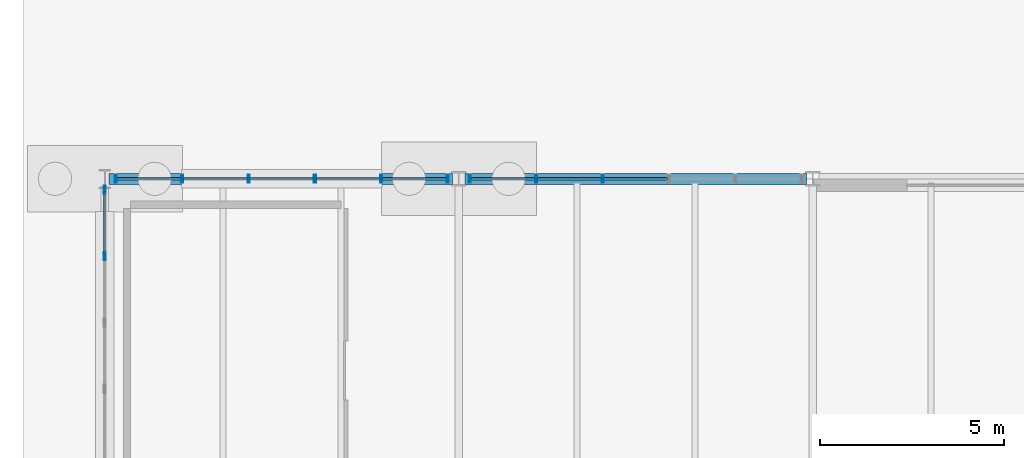
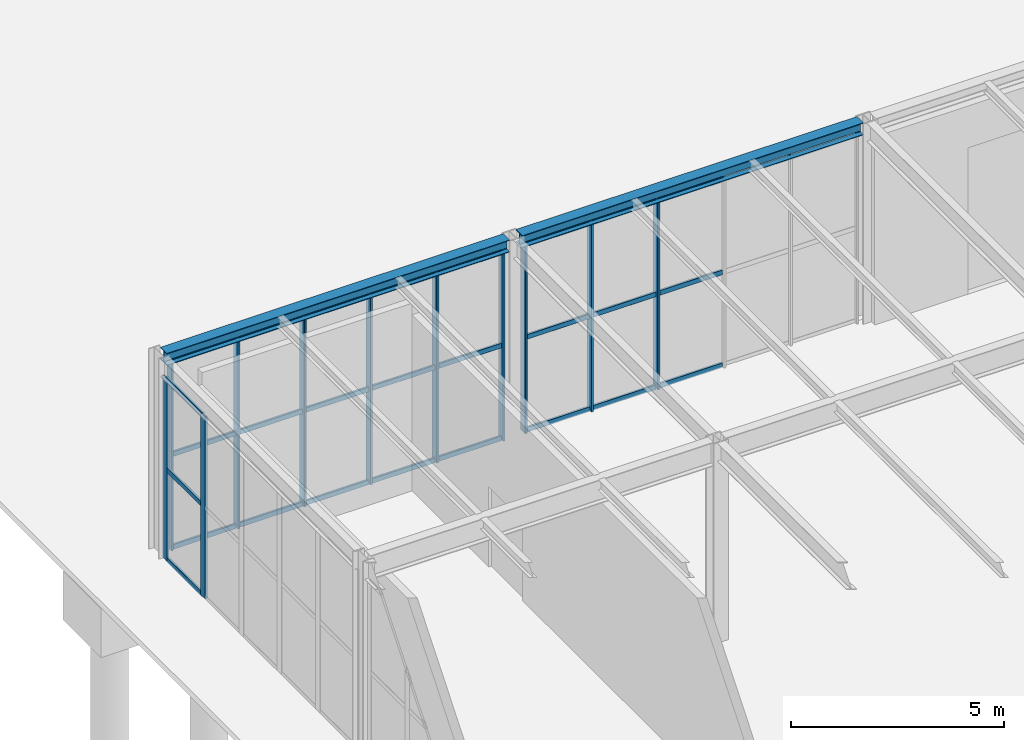
# One storey, part 53 of 142: 38 members, 2 beams, 3 elements without a shape of their own.
"""IFC4 building model written with IfcOpenShell, lengths in metres."""

from ifc_helpers import new_model, si_unit, direction, frame, origin, origin_2d, place, context, subcontext, project, spatial, hollow_rectangle, i_section, extrude, material, material_profile, profile_set, type_object, element, aggregate, save


model = new_model("IFC4")

# Units and contexts
model_context = context("Model", 3, precision=1e-05, world=origin(), true_north=direction((0.0, 1.0)))
body_context = subcontext(model_context, "Body", "Model", "MODEL_VIEW")
ifc_project = project(units=[si_unit("LENGTHUNIT", "METRE"), si_unit("AREAUNIT", "SQUARE_METRE"), si_unit("VOLUMEUNIT", "CUBIC_METRE"), si_unit("PLANEANGLEUNIT", "RADIAN"), si_unit("MASSUNIT", "GRAM", prefix="KILO")], contexts=[model_context])

# Site, building, storey
site_placement = place(None, origin())
site = spatial("IfcSite", under=ifc_project, at=site_placement, CompositionType="ELEMENT")
building_placement = place(site_placement, origin())
building = spatial("IfcBuilding", under=site, at=building_placement, Name="Coralgate Yard Interchange", CompositionType="ELEMENT")
storey_placement = place(building_placement, origin())
storey = spatial("IfcBuildingStorey", under=building, at=storey_placement, Name="L00", CompositionType="ELEMENT", Elevation=0.0)

# Beams
ifc_material_1 = material(Name="Structural steel S355J2", Category="steel")
ifc_material_profile_1 = material_profile(ifc_material_1, i_section(OverallWidth=0.300048828125, OverallDepth=0.35009765625, WebThickness=0.010009765625, FlangeThickness=0.017578125, FilletRadius=0.027099609375, at=origin_2d()), Name="HEA 360")
ifc_profile_set_1 = profile_set([ifc_material_profile_1], Name="Structural steel S355J2")
beam_type = type_object("IfcBeamType", Name="BM-SP-1", PredefinedType="SPANDREL", material=ifc_profile_set_1)
beam_1_placement = place(storey_placement, frame((0.1201171875, 57.60009765625, 5.574951171875), z_axis=(1.0, 0.0, 0.0), x_axis=(0.0, 1.0, 0.0)))
element("IfcBeam", 1, at=beam_1_placement, inside=storey, type_object=beam_type, Name="L00 primary grid beam Y6 X0-1", PredefinedType="SPANDREL", context=body_context, shape_type="SweptSolid", body=[
    extrude(i_section(OverallWidth=0.300048828125, OverallDepth=0.35009765625, WebThickness=0.010009765625, FlangeThickness=0.017578125, FilletRadius=0.027099609375, at=origin_2d()), origin(), (0.0, 0.0, 1.0), 9.310302734375),
])
beam_2_placement = place(storey_placement, frame((9.76953125, 57.60009765625, 5.574951171875), z_axis=(1.0, 0.0, 0.0), x_axis=(0.0, 1.0, 0.0)))
element("IfcBeam", 2, at=beam_2_placement, inside=storey, type_object=beam_type, Name="L00 primary grid beam Y6 X1-2", PredefinedType="SPANDREL", context=body_context, shape_type="SweptSolid", body=[
    extrude(i_section(OverallWidth=0.300048828125, OverallDepth=0.35009765625, WebThickness=0.010009765625, FlangeThickness=0.017578125, FilletRadius=0.027099609375, at=origin_2d()), origin(), (0.0, 0.0, 1.0), 9.260986328125),
])

# Curtain wall, members
ifc_material_2 = material(Name="Anodised coastal aluminium and solar-control low-E glass", Category="aluminium")
curtain_wall_type_1 = type_object("IfcCurtainWallType", Name="CW-CW-L00-A", PredefinedType="NOTDEFINED", material=ifc_material_2)
curtain_wall_1_placement = place(storey_placement, origin())
curtain_wall_1 = element("IfcCurtainWall", 3, at=curtain_wall_1_placement, inside=storey, type_object=curtain_wall_type_1, Name="L00 unitised curtain wall CW-L00-W-00-05", PredefinedType="NOTDEFINED")
ifc_material_3 = material(Name="Anodised coastal aluminium 6063-T6", Category="aluminium")
ifc_material_profile_2 = material_profile(ifc_material_3, hollow_rectangle(XDim=0.06005859375, YDim=0.219970703125, WallThickness=0.00390625, InnerFilletRadius=0.00390625, OuterFilletRadius=0.008056640625, at=origin_2d()), Name="ALU 60x220x4")
ifc_profile_set_2 = profile_set([ifc_material_profile_2], Name="Anodised coastal aluminium 6063-T6")
member_type_1 = type_object("IfcMemberType", Name="MB-MUL-220", PredefinedType="MULLION", material=ifc_profile_set_2)
member_1_placement = place(storey_placement, frame((0.0, 55.5, 0.0), z_axis=(0.0, 0.0, 1.0), x_axis=(1.0, 0.0, 0.0)))
member_1 = element("IfcMember", 4, at=member_1_placement, type_object=member_type_1, Name="CW-L00-W-00-05 vertical mullion 5", PredefinedType="MULLION", context=body_context, shape_type="SweptSolid", body=[
    extrude(hollow_rectangle(XDim=0.06005859375, YDim=0.219970703125, WallThickness=0.00390625, InnerFilletRadius=0.00390625, OuterFilletRadius=0.008056640625, at=origin_2d()), origin(), (0.0, 0.0, 1.0), 5.216796875),
])
member_2_placement = place(storey_placement, frame((0.0, 57.300048828125, 0.0), z_axis=(0.0, 0.0, 1.0), x_axis=(1.0, 0.0, 0.0)))
member_2 = element("IfcMember", 5, at=member_2_placement, type_object=member_type_1, Name="CW-L00-W-00-05 vertical mullion 6", PredefinedType="MULLION", context=body_context, shape_type="SweptSolid", body=[
    extrude(hollow_rectangle(XDim=0.06005859375, YDim=0.219970703125, WallThickness=0.00390625, InnerFilletRadius=0.00390625, OuterFilletRadius=0.008056640625, at=origin_2d()), origin(), (0.0, 0.0, 1.0), 5.216796875),
])

curtain_wall_type_2 = type_object("IfcCurtainWallType", Name="CW-CW-L00-B", PredefinedType="NOTDEFINED", material=ifc_material_2)
curtain_wall_2_placement = place(storey_placement, origin())
curtain_wall_2 = element("IfcCurtainWall", 6, at=curtain_wall_2_placement, inside=storey, type_object=curtain_wall_type_2, Name="L00 unitised curtain wall CW-L00-N-00-05", PredefinedType="NOTDEFINED")
member_3_placement = place(storey_placement, frame((0.300048828125, 57.60009765625, 0.0), z_axis=(0.0, 0.0, 1.0), x_axis=(1.0, 0.0, 0.0)))
member_3 = element("IfcMember", 7, at=member_3_placement, type_object=member_type_1, Name="CW-L00-N-00-05 vertical mullion 1", PredefinedType="MULLION", context=body_context, shape_type="SweptSolid", body=[
    extrude(hollow_rectangle(XDim=0.06005859375, YDim=0.219970703125, WallThickness=0.00390625, InnerFilletRadius=0.00390625, OuterFilletRadius=0.008056640625, at=origin_2d()), origin(), (0.0, 0.0, 1.0), 5.39990234375),
])
member_4_placement = place(storey_placement, frame((2.10009765625, 57.60009765625, 0.0), z_axis=(0.0, 0.0, 1.0), x_axis=(1.0, 0.0, 0.0)))
member_4 = element("IfcMember", 8, at=member_4_placement, type_object=member_type_1, Name="CW-L00-N-00-05 vertical mullion 2", PredefinedType="MULLION", context=body_context, shape_type="SweptSolid", body=[
    extrude(hollow_rectangle(XDim=0.06005859375, YDim=0.219970703125, WallThickness=0.00390625, InnerFilletRadius=0.00390625, OuterFilletRadius=0.008056640625, at=origin_2d()), origin(), (0.0, 0.0, 1.0), 5.39990234375),
])
member_5_placement = place(storey_placement, frame((3.89990234375, 57.60009765625, 0.0), z_axis=(0.0, 0.0, 1.0), x_axis=(1.0, 0.0, 0.0)))
member_5 = element("IfcMember", 9, at=member_5_placement, type_object=member_type_1, Name="CW-L00-N-00-05 vertical mullion 3", PredefinedType="MULLION", context=body_context, shape_type="SweptSolid", body=[
    extrude(hollow_rectangle(XDim=0.06005859375, YDim=0.219970703125, WallThickness=0.00390625, InnerFilletRadius=0.00390625, OuterFilletRadius=0.008056640625, at=origin_2d()), origin(), (0.0, 0.0, 1.0), 5.39990234375),
])
member_6_placement = place(storey_placement, frame((5.699951171875, 57.60009765625, 0.0), z_axis=(0.0, 0.0, 1.0), x_axis=(1.0, 0.0, 0.0)))
member_6 = element("IfcMember", 10, at=member_6_placement, type_object=member_type_1, Name="CW-L00-N-00-05 vertical mullion 4", PredefinedType="MULLION", context=body_context, shape_type="SweptSolid", body=[
    extrude(hollow_rectangle(XDim=0.06005859375, YDim=0.219970703125, WallThickness=0.00390625, InnerFilletRadius=0.00390625, OuterFilletRadius=0.008056640625, at=origin_2d()), origin(), (0.0, 0.0, 1.0), 5.39990234375),
])
member_7_placement = place(storey_placement, frame((7.5, 57.60009765625, 0.0), z_axis=(0.0, 0.0, 1.0), x_axis=(1.0, 0.0, 0.0)))
member_7 = element("IfcMember", 11, at=member_7_placement, type_object=member_type_1, Name="CW-L00-N-00-05 vertical mullion 5", PredefinedType="MULLION", context=body_context, shape_type="SweptSolid", body=[
    extrude(hollow_rectangle(XDim=0.06005859375, YDim=0.219970703125, WallThickness=0.00390625, InnerFilletRadius=0.00390625, OuterFilletRadius=0.008056640625, at=origin_2d()), origin(), (0.0, 0.0, 1.0), 5.39990234375),
])
member_8_placement = place(storey_placement, frame((9.300048828125, 57.60009765625, 0.0), z_axis=(0.0, 0.0, 1.0), x_axis=(1.0, 0.0, 0.0)))
member_8 = element("IfcMember", 12, at=member_8_placement, type_object=member_type_1, Name="CW-L00-N-00-05 vertical mullion 6", PredefinedType="MULLION", context=body_context, shape_type="SweptSolid", body=[
    extrude(hollow_rectangle(XDim=0.06005859375, YDim=0.219970703125, WallThickness=0.00390625, InnerFilletRadius=0.00390625, OuterFilletRadius=0.008056640625, at=origin_2d()), origin(), (0.0, 0.0, 1.0), 5.39990234375),
])

curtain_wall_3_placement = place(storey_placement, origin())
curtain_wall_3 = element("IfcCurtainWall", 13, at=curtain_wall_3_placement, inside=storey, type_object=curtain_wall_type_2, Name="L00 unitised curtain wall CW-L00-N-01-05", PredefinedType="NOTDEFINED")
member_9_placement = place(storey_placement, frame((9.89990234375, 57.60009765625, 0.0), z_axis=(0.0, 0.0, 1.0), x_axis=(1.0, 0.0, 0.0)))
member_9 = element("IfcMember", 14, at=member_9_placement, type_object=member_type_1, Name="CW-L00-N-01-05 vertical mullion 1", PredefinedType="MULLION", context=body_context, shape_type="SweptSolid", body=[
    extrude(hollow_rectangle(XDim=0.06005859375, YDim=0.219970703125, WallThickness=0.00390625, InnerFilletRadius=0.00390625, OuterFilletRadius=0.008056640625, at=origin_2d()), origin(), (0.0, 0.0, 1.0), 5.39990234375),
])
member_10_placement = place(storey_placement, frame((11.699951171875, 57.60009765625, 0.0), z_axis=(0.0, 0.0, 1.0), x_axis=(1.0, 0.0, 0.0)))
member_10 = element("IfcMember", 15, at=member_10_placement, type_object=member_type_1, Name="CW-L00-N-01-05 vertical mullion 2", PredefinedType="MULLION", context=body_context, shape_type="SweptSolid", body=[
    extrude(hollow_rectangle(XDim=0.06005859375, YDim=0.219970703125, WallThickness=0.00390625, InnerFilletRadius=0.00390625, OuterFilletRadius=0.008056640625, at=origin_2d()), origin(), (0.0, 0.0, 1.0), 5.39990234375),
])
member_11_placement = place(storey_placement, frame((13.5, 57.60009765625, 0.0), z_axis=(0.0, 0.0, 1.0), x_axis=(1.0, 0.0, 0.0)))
member_11 = element("IfcMember", 16, at=member_11_placement, type_object=member_type_1, Name="CW-L00-N-01-05 vertical mullion 3", PredefinedType="MULLION", context=body_context, shape_type="SweptSolid", body=[
    extrude(hollow_rectangle(XDim=0.06005859375, YDim=0.219970703125, WallThickness=0.00390625, InnerFilletRadius=0.00390625, OuterFilletRadius=0.008056640625, at=origin_2d()), origin(), (0.0, 0.0, 1.0), 5.39990234375),
])

# Member
ifc_material_profile_3 = material_profile(ifc_material_3, hollow_rectangle(XDim=0.06005859375, YDim=0.139892578125, WallThickness=0.00341796875, InnerFilletRadius=0.00341796875, OuterFilletRadius=0.007080078125, at=origin_2d()), Name="ALU 60x140x3.5")
ifc_profile_set_3 = profile_set([ifc_material_profile_3], Name="Anodised coastal aluminium 6063-T6")
member_type_2 = type_object("IfcMemberType", Name="MB-TRN-140", PredefinedType="USERDEFINED", material=ifc_profile_set_3)
member_12_placement = place(storey_placement, frame((0.0, 55.530029296875, 0.034912109375), z_axis=(0.0, 1.0, 0.0), x_axis=(-1.0, 0.0, 0.0)))
member_12 = element("IfcMember", 17, at=member_12_placement, type_object=member_type_2, Name="CW-L00-W-00-05 horizontal transom 5-1", ObjectType="TRANSOM", PredefinedType="USERDEFINED", context=body_context, shape_type="SweptSolid", body=[
    extrude(hollow_rectangle(XDim=0.06005859375, YDim=0.139892578125, WallThickness=0.00341796875, InnerFilletRadius=0.00341796875, OuterFilletRadius=0.007080078125, at=origin_2d()), origin(), (0.0, 0.0, 1.0), 1.739990234375),
])

member_13_placement = place(storey_placement, frame((0.0, 55.530029296875, 2.6083984375), z_axis=(0.0, 1.0, 0.0), x_axis=(-1.0, 0.0, 0.0)))
member_13 = element("IfcMember", 18, at=member_13_placement, type_object=member_type_2, Name="CW-L00-W-00-05 horizontal transom 5-2", ObjectType="TRANSOM", PredefinedType="USERDEFINED", context=body_context, shape_type="SweptSolid", body=[
    extrude(hollow_rectangle(XDim=0.06005859375, YDim=0.139892578125, WallThickness=0.00341796875, InnerFilletRadius=0.00341796875, OuterFilletRadius=0.007080078125, at=origin_2d()), origin(), (0.0, 0.0, 1.0), 1.739990234375),
])

member_14_placement = place(storey_placement, frame((0.0, 55.530029296875, 5.181884765625), z_axis=(0.0, 1.0, 0.0), x_axis=(-1.0, 0.0, 0.0)))
member_14 = element("IfcMember", 19, at=member_14_placement, type_object=member_type_2, Name="CW-L00-W-00-05 horizontal transom 5-3", ObjectType="TRANSOM", PredefinedType="USERDEFINED", context=body_context, shape_type="SweptSolid", body=[
    extrude(hollow_rectangle(XDim=0.06005859375, YDim=0.139892578125, WallThickness=0.00341796875, InnerFilletRadius=0.00341796875, OuterFilletRadius=0.007080078125, at=origin_2d()), origin(), (0.0, 0.0, 1.0), 1.739990234375),
])

aggregate(curtain_wall_1, [member_1, member_2, member_12, member_13, member_14])

member_15_placement = place(storey_placement, frame((0.330078125, 57.60009765625, 0.034912109375), z_axis=(1.0, 0.0, 0.0), x_axis=(0.0, 1.0, 0.0)))
member_15 = element("IfcMember", 20, at=member_15_placement, type_object=member_type_2, Name="CW-L00-N-00-05 horizontal transom 1-1", ObjectType="TRANSOM", PredefinedType="USERDEFINED", context=body_context, shape_type="SweptSolid", body=[
    extrude(hollow_rectangle(XDim=0.06005859375, YDim=0.139892578125, WallThickness=0.00341796875, InnerFilletRadius=0.00341796875, OuterFilletRadius=0.007080078125, at=origin_2d()), origin(), (0.0, 0.0, 1.0), 1.739990234375),
])

member_16_placement = place(storey_placement, frame((0.330078125, 57.60009765625, 2.699951171875), z_axis=(1.0, 0.0, 0.0), x_axis=(0.0, 1.0, 0.0)))
member_16 = element("IfcMember", 21, at=member_16_placement, type_object=member_type_2, Name="CW-L00-N-00-05 horizontal transom 1-2", ObjectType="TRANSOM", PredefinedType="USERDEFINED", context=body_context, shape_type="SweptSolid", body=[
    extrude(hollow_rectangle(XDim=0.06005859375, YDim=0.139892578125, WallThickness=0.00341796875, InnerFilletRadius=0.00341796875, OuterFilletRadius=0.007080078125, at=origin_2d()), origin(), (0.0, 0.0, 1.0), 1.739990234375),
])

member_17_placement = place(storey_placement, frame((0.330078125, 57.60009765625, 5.364990234375), z_axis=(1.0, 0.0, 0.0), x_axis=(0.0, 1.0, 0.0)))
member_17 = element("IfcMember", 22, at=member_17_placement, type_object=member_type_2, Name="CW-L00-N-00-05 horizontal transom 1-3", ObjectType="TRANSOM", PredefinedType="USERDEFINED", context=body_context, shape_type="SweptSolid", body=[
    extrude(hollow_rectangle(XDim=0.06005859375, YDim=0.139892578125, WallThickness=0.00341796875, InnerFilletRadius=0.00341796875, OuterFilletRadius=0.007080078125, at=origin_2d()), origin(), (0.0, 0.0, 1.0), 1.739990234375),
])

member_18_placement = place(storey_placement, frame((2.1298828125, 57.60009765625, 0.034912109375), z_axis=(1.0, 0.0, 0.0), x_axis=(0.0, 1.0, 0.0)))
member_18 = element("IfcMember", 23, at=member_18_placement, type_object=member_type_2, Name="CW-L00-N-00-05 horizontal transom 2-1", ObjectType="TRANSOM", PredefinedType="USERDEFINED", context=body_context, shape_type="SweptSolid", body=[
    extrude(hollow_rectangle(XDim=0.06005859375, YDim=0.139892578125, WallThickness=0.00341796875, InnerFilletRadius=0.00341796875, OuterFilletRadius=0.007080078125, at=origin_2d()), origin(), (0.0, 0.0, 1.0), 1.740234375),
])

member_19_placement = place(storey_placement, frame((2.1298828125, 57.60009765625, 2.699951171875), z_axis=(1.0, 0.0, 0.0), x_axis=(0.0, 1.0, 0.0)))
member_19 = element("IfcMember", 24, at=member_19_placement, type_object=member_type_2, Name="CW-L00-N-00-05 horizontal transom 2-2", ObjectType="TRANSOM", PredefinedType="USERDEFINED", context=body_context, shape_type="SweptSolid", body=[
    extrude(hollow_rectangle(XDim=0.06005859375, YDim=0.139892578125, WallThickness=0.00341796875, InnerFilletRadius=0.00341796875, OuterFilletRadius=0.007080078125, at=origin_2d()), origin(), (0.0, 0.0, 1.0), 1.740234375),
])

member_20_placement = place(storey_placement, frame((2.1298828125, 57.60009765625, 5.364990234375), z_axis=(1.0, 0.0, 0.0), x_axis=(0.0, 1.0, 0.0)))
member_20 = element("IfcMember", 25, at=member_20_placement, type_object=member_type_2, Name="CW-L00-N-00-05 horizontal transom 2-3", ObjectType="TRANSOM", PredefinedType="USERDEFINED", context=body_context, shape_type="SweptSolid", body=[
    extrude(hollow_rectangle(XDim=0.06005859375, YDim=0.139892578125, WallThickness=0.00341796875, InnerFilletRadius=0.00341796875, OuterFilletRadius=0.007080078125, at=origin_2d()), origin(), (0.0, 0.0, 1.0), 1.740234375),
])

member_21_placement = place(storey_placement, frame((3.929931640625, 57.60009765625, 0.034912109375), z_axis=(1.0, 0.0, 0.0), x_axis=(0.0, 1.0, 0.0)))
member_21 = element("IfcMember", 26, at=member_21_placement, type_object=member_type_2, Name="CW-L00-N-00-05 horizontal transom 3-1", ObjectType="TRANSOM", PredefinedType="USERDEFINED", context=body_context, shape_type="SweptSolid", body=[
    extrude(hollow_rectangle(XDim=0.06005859375, YDim=0.139892578125, WallThickness=0.00341796875, InnerFilletRadius=0.00341796875, OuterFilletRadius=0.007080078125, at=origin_2d()), origin(), (0.0, 0.0, 1.0), 1.739990234375),
])

member_22_placement = place(storey_placement, frame((3.929931640625, 57.60009765625, 2.699951171875), z_axis=(1.0, 0.0, 0.0), x_axis=(0.0, 1.0, 0.0)))
member_22 = element("IfcMember", 27, at=member_22_placement, type_object=member_type_2, Name="CW-L00-N-00-05 horizontal transom 3-2", ObjectType="TRANSOM", PredefinedType="USERDEFINED", context=body_context, shape_type="SweptSolid", body=[
    extrude(hollow_rectangle(XDim=0.06005859375, YDim=0.139892578125, WallThickness=0.00341796875, InnerFilletRadius=0.00341796875, OuterFilletRadius=0.007080078125, at=origin_2d()), origin(), (0.0, 0.0, 1.0), 1.739990234375),
])

member_23_placement = place(storey_placement, frame((3.929931640625, 57.60009765625, 5.364990234375), z_axis=(1.0, 0.0, 0.0), x_axis=(0.0, 1.0, 0.0)))
member_23 = element("IfcMember", 28, at=member_23_placement, type_object=member_type_2, Name="CW-L00-N-00-05 horizontal transom 3-3", ObjectType="TRANSOM", PredefinedType="USERDEFINED", context=body_context, shape_type="SweptSolid", body=[
    extrude(hollow_rectangle(XDim=0.06005859375, YDim=0.139892578125, WallThickness=0.00341796875, InnerFilletRadius=0.00341796875, OuterFilletRadius=0.007080078125, at=origin_2d()), origin(), (0.0, 0.0, 1.0), 1.739990234375),
])

member_24_placement = place(storey_placement, frame((5.72998046875, 57.60009765625, 0.034912109375), z_axis=(1.0, 0.0, 0.0), x_axis=(0.0, 1.0, 0.0)))
member_24 = element("IfcMember", 29, at=member_24_placement, type_object=member_type_2, Name="CW-L00-N-00-05 horizontal transom 4-1", ObjectType="TRANSOM", PredefinedType="USERDEFINED", context=body_context, shape_type="SweptSolid", body=[
    extrude(hollow_rectangle(XDim=0.06005859375, YDim=0.139892578125, WallThickness=0.00341796875, InnerFilletRadius=0.00341796875, OuterFilletRadius=0.007080078125, at=origin_2d()), origin(), (0.0, 0.0, 1.0), 1.739990234375),
])

member_25_placement = place(storey_placement, frame((5.72998046875, 57.60009765625, 2.699951171875), z_axis=(1.0, 0.0, 0.0), x_axis=(0.0, 1.0, 0.0)))
member_25 = element("IfcMember", 30, at=member_25_placement, type_object=member_type_2, Name="CW-L00-N-00-05 horizontal transom 4-2", ObjectType="TRANSOM", PredefinedType="USERDEFINED", context=body_context, shape_type="SweptSolid", body=[
    extrude(hollow_rectangle(XDim=0.06005859375, YDim=0.139892578125, WallThickness=0.00341796875, InnerFilletRadius=0.00341796875, OuterFilletRadius=0.007080078125, at=origin_2d()), origin(), (0.0, 0.0, 1.0), 1.739990234375),
])

member_26_placement = place(storey_placement, frame((5.72998046875, 57.60009765625, 5.364990234375), z_axis=(1.0, 0.0, 0.0), x_axis=(0.0, 1.0, 0.0)))
member_26 = element("IfcMember", 31, at=member_26_placement, type_object=member_type_2, Name="CW-L00-N-00-05 horizontal transom 4-3", ObjectType="TRANSOM", PredefinedType="USERDEFINED", context=body_context, shape_type="SweptSolid", body=[
    extrude(hollow_rectangle(XDim=0.06005859375, YDim=0.139892578125, WallThickness=0.00341796875, InnerFilletRadius=0.00341796875, OuterFilletRadius=0.007080078125, at=origin_2d()), origin(), (0.0, 0.0, 1.0), 1.739990234375),
])

member_27_placement = place(storey_placement, frame((7.530029296875, 57.60009765625, 0.034912109375), z_axis=(1.0, 0.0, 0.0), x_axis=(0.0, 1.0, 0.0)))
member_27 = element("IfcMember", 32, at=member_27_placement, type_object=member_type_2, Name="CW-L00-N-00-05 horizontal transom 5-1", ObjectType="TRANSOM", PredefinedType="USERDEFINED", context=body_context, shape_type="SweptSolid", body=[
    extrude(hollow_rectangle(XDim=0.06005859375, YDim=0.139892578125, WallThickness=0.00341796875, InnerFilletRadius=0.00341796875, OuterFilletRadius=0.007080078125, at=origin_2d()), origin(), (0.0, 0.0, 1.0), 1.739990234375),
])

member_28_placement = place(storey_placement, frame((7.530029296875, 57.60009765625, 2.699951171875), z_axis=(1.0, 0.0, 0.0), x_axis=(0.0, 1.0, 0.0)))
member_28 = element("IfcMember", 33, at=member_28_placement, type_object=member_type_2, Name="CW-L00-N-00-05 horizontal transom 5-2", ObjectType="TRANSOM", PredefinedType="USERDEFINED", context=body_context, shape_type="SweptSolid", body=[
    extrude(hollow_rectangle(XDim=0.06005859375, YDim=0.139892578125, WallThickness=0.00341796875, InnerFilletRadius=0.00341796875, OuterFilletRadius=0.007080078125, at=origin_2d()), origin(), (0.0, 0.0, 1.0), 1.739990234375),
])

member_29_placement = place(storey_placement, frame((7.530029296875, 57.60009765625, 5.364990234375), z_axis=(1.0, 0.0, 0.0), x_axis=(0.0, 1.0, 0.0)))
member_29 = element("IfcMember", 34, at=member_29_placement, type_object=member_type_2, Name="CW-L00-N-00-05 horizontal transom 5-3", ObjectType="TRANSOM", PredefinedType="USERDEFINED", context=body_context, shape_type="SweptSolid", body=[
    extrude(hollow_rectangle(XDim=0.06005859375, YDim=0.139892578125, WallThickness=0.00341796875, InnerFilletRadius=0.00341796875, OuterFilletRadius=0.007080078125, at=origin_2d()), origin(), (0.0, 0.0, 1.0), 1.739990234375),
])

aggregate(curtain_wall_2, [member_3, member_4, member_5, member_6, member_7, member_8, member_15, member_16, member_17, member_18, member_19, member_20, member_21, member_22, member_23, member_24, member_25, member_26, member_27, member_28, member_29])

member_30_placement = place(storey_placement, frame((9.929931640625, 57.60009765625, 0.034912109375), z_axis=(1.0, 0.0, 0.0), x_axis=(0.0, 1.0, 0.0)))
member_30 = element("IfcMember", 35, at=member_30_placement, type_object=member_type_2, Name="CW-L00-N-01-05 horizontal transom 1-1", ObjectType="TRANSOM", PredefinedType="USERDEFINED", context=body_context, shape_type="SweptSolid", body=[
    extrude(hollow_rectangle(XDim=0.06005859375, YDim=0.139892578125, WallThickness=0.00341796875, InnerFilletRadius=0.00341796875, OuterFilletRadius=0.007080078125, at=origin_2d()), origin(), (0.0, 0.0, 1.0), 1.739990234375),
])

member_31_placement = place(storey_placement, frame((9.929931640625, 57.60009765625, 2.699951171875), z_axis=(1.0, 0.0, 0.0), x_axis=(0.0, 1.0, 0.0)))
member_31 = element("IfcMember", 36, at=member_31_placement, type_object=member_type_2, Name="CW-L00-N-01-05 horizontal transom 1-2", ObjectType="TRANSOM", PredefinedType="USERDEFINED", context=body_context, shape_type="SweptSolid", body=[
    extrude(hollow_rectangle(XDim=0.06005859375, YDim=0.139892578125, WallThickness=0.00341796875, InnerFilletRadius=0.00341796875, OuterFilletRadius=0.007080078125, at=origin_2d()), origin(), (0.0, 0.0, 1.0), 1.739990234375),
])

member_32_placement = place(storey_placement, frame((9.929931640625, 57.60009765625, 5.364990234375), z_axis=(1.0, 0.0, 0.0), x_axis=(0.0, 1.0, 0.0)))
member_32 = element("IfcMember", 37, at=member_32_placement, type_object=member_type_2, Name="CW-L00-N-01-05 horizontal transom 1-3", ObjectType="TRANSOM", PredefinedType="USERDEFINED", context=body_context, shape_type="SweptSolid", body=[
    extrude(hollow_rectangle(XDim=0.06005859375, YDim=0.139892578125, WallThickness=0.00341796875, InnerFilletRadius=0.00341796875, OuterFilletRadius=0.007080078125, at=origin_2d()), origin(), (0.0, 0.0, 1.0), 1.739990234375),
])

member_33_placement = place(storey_placement, frame((11.72998046875, 57.60009765625, 0.034912109375), z_axis=(1.0, 0.0, 0.0), x_axis=(0.0, 1.0, 0.0)))
member_33 = element("IfcMember", 38, at=member_33_placement, type_object=member_type_2, Name="CW-L00-N-01-05 horizontal transom 2-1", ObjectType="TRANSOM", PredefinedType="USERDEFINED", context=body_context, shape_type="SweptSolid", body=[
    extrude(hollow_rectangle(XDim=0.06005859375, YDim=0.139892578125, WallThickness=0.00341796875, InnerFilletRadius=0.00341796875, OuterFilletRadius=0.007080078125, at=origin_2d()), origin(), (0.0, 0.0, 1.0), 1.739990234375),
])

member_34_placement = place(storey_placement, frame((11.72998046875, 57.60009765625, 2.699951171875), z_axis=(1.0, 0.0, 0.0), x_axis=(0.0, 1.0, 0.0)))
member_34 = element("IfcMember", 39, at=member_34_placement, type_object=member_type_2, Name="CW-L00-N-01-05 horizontal transom 2-2", ObjectType="TRANSOM", PredefinedType="USERDEFINED", context=body_context, shape_type="SweptSolid", body=[
    extrude(hollow_rectangle(XDim=0.06005859375, YDim=0.139892578125, WallThickness=0.00341796875, InnerFilletRadius=0.00341796875, OuterFilletRadius=0.007080078125, at=origin_2d()), origin(), (0.0, 0.0, 1.0), 1.739990234375),
])

member_35_placement = place(storey_placement, frame((11.72998046875, 57.60009765625, 5.364990234375), z_axis=(1.0, 0.0, 0.0), x_axis=(0.0, 1.0, 0.0)))
member_35 = element("IfcMember", 40, at=member_35_placement, type_object=member_type_2, Name="CW-L00-N-01-05 horizontal transom 2-3", ObjectType="TRANSOM", PredefinedType="USERDEFINED", context=body_context, shape_type="SweptSolid", body=[
    extrude(hollow_rectangle(XDim=0.06005859375, YDim=0.139892578125, WallThickness=0.00341796875, InnerFilletRadius=0.00341796875, OuterFilletRadius=0.007080078125, at=origin_2d()), origin(), (0.0, 0.0, 1.0), 1.739990234375),
])

member_36_placement = place(storey_placement, frame((13.530029296875, 57.60009765625, 0.034912109375), z_axis=(1.0, 0.0, 0.0), x_axis=(0.0, 1.0, 0.0)))
member_36 = element("IfcMember", 41, at=member_36_placement, type_object=member_type_2, Name="CW-L00-N-01-05 horizontal transom 3-1", ObjectType="TRANSOM", PredefinedType="USERDEFINED", context=body_context, shape_type="SweptSolid", body=[
    extrude(hollow_rectangle(XDim=0.06005859375, YDim=0.139892578125, WallThickness=0.00341796875, InnerFilletRadius=0.00341796875, OuterFilletRadius=0.007080078125, at=origin_2d()), origin(), (0.0, 0.0, 1.0), 1.739990234375),
])

member_37_placement = place(storey_placement, frame((13.530029296875, 57.60009765625, 2.699951171875), z_axis=(1.0, 0.0, 0.0), x_axis=(0.0, 1.0, 0.0)))
member_37 = element("IfcMember", 42, at=member_37_placement, type_object=member_type_2, Name="CW-L00-N-01-05 horizontal transom 3-2", ObjectType="TRANSOM", PredefinedType="USERDEFINED", context=body_context, shape_type="SweptSolid", body=[
    extrude(hollow_rectangle(XDim=0.06005859375, YDim=0.139892578125, WallThickness=0.00341796875, InnerFilletRadius=0.00341796875, OuterFilletRadius=0.007080078125, at=origin_2d()), origin(), (0.0, 0.0, 1.0), 1.739990234375),
])

member_38_placement = place(storey_placement, frame((13.530029296875, 57.60009765625, 5.364990234375), z_axis=(1.0, 0.0, 0.0), x_axis=(0.0, 1.0, 0.0)))
member_38 = element("IfcMember", 43, at=member_38_placement, type_object=member_type_2, Name="CW-L00-N-01-05 horizontal transom 3-3", ObjectType="TRANSOM", PredefinedType="USERDEFINED", context=body_context, shape_type="SweptSolid", body=[
    extrude(hollow_rectangle(XDim=0.06005859375, YDim=0.139892578125, WallThickness=0.00341796875, InnerFilletRadius=0.00341796875, OuterFilletRadius=0.007080078125, at=origin_2d()), origin(), (0.0, 0.0, 1.0), 1.739990234375),
])

aggregate(curtain_wall_3, [member_9, member_10, member_11, member_30, member_31, member_32, member_33, member_34, member_35, member_36, member_37, member_38])

save(model, "model.ifc")
